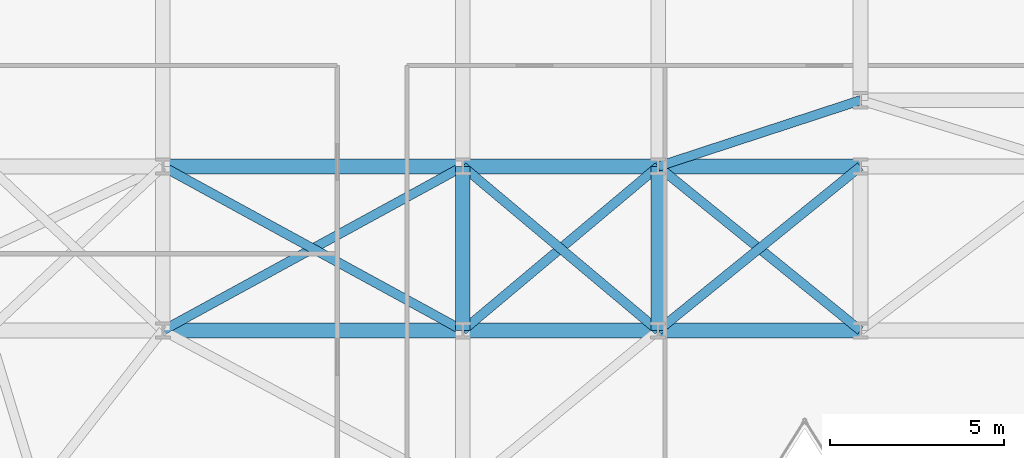
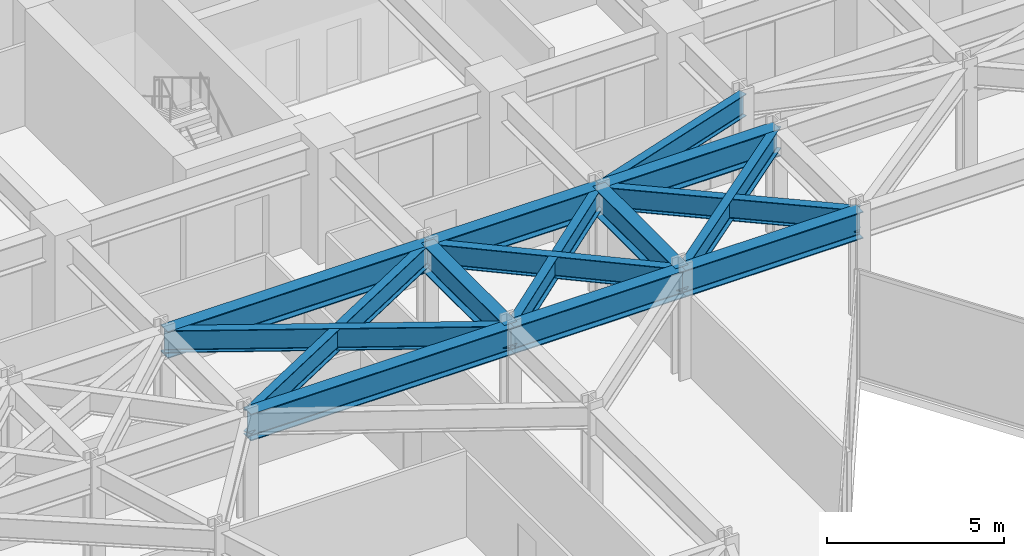
# One storey, part 11 of 24: 15 beams.
"""IFC4 building model written with IfcOpenShell, lengths in metres."""

from ifc_helpers import new_model, si_unit, direction, frame, origin, origin_2d, place, context, subcontext, project, spatial, i_section, extrude, material, material_profile, profile_set, type_object, element, save


model = new_model("IFC4")

# Units and contexts
model_context = context("Model", 3, precision=1e-05, world=origin(), true_north=direction((0.0, 1.0)))
body_context = subcontext(model_context, "Body", "Model", "MODEL_VIEW")
ifc_project = project(units=[si_unit("LENGTHUNIT", "METRE"), si_unit("AREAUNIT", "SQUARE_METRE"), si_unit("VOLUMEUNIT", "CUBIC_METRE"), si_unit("PLANEANGLEUNIT", "RADIAN"), si_unit("MASSUNIT", "GRAM", prefix="KILO")], contexts=[model_context])

# Site, building, storey
site_placement = place(None, origin())
site = spatial("IfcSite", under=ifc_project, at=site_placement, CompositionType="ELEMENT")
building_placement = place(site_placement, origin())
building = spatial("IfcBuilding", under=site, at=building_placement, Name="Kravanh Interchange Tower", CompositionType="ELEMENT")
storey_placement = place(building_placement, frame((0.0, 0.0, 61.5)))
storey = spatial("IfcBuildingStorey", under=building, at=storey_placement, Name="L14", CompositionType="ELEMENT", Elevation=61.5)

# Beams
ifc_material_1 = material(Name="Structural Steel S355", Category="steel")
ifc_material_profile_1 = material_profile(ifc_material_1, i_section(OverallWidth=0.41796875, OverallDepth=0.927001953125, WebThickness=0.019287109375, FlangeThickness=0.031982421875, FilletRadius=0.028076171875, at=origin_2d()), Name="W36X231")
ifc_profile_set_1 = profile_set([ifc_material_profile_1], Name="Structural Steel S355")
beam_type_1 = type_object("IfcBeamType", Name="Floor Beam W36X231 Structural Steel S355", PredefinedType="BEAM", material=ifc_profile_set_1)
beam_1_placement = place(storey_placement, frame((18.60009765625, 26.800048828125, 3.276611328125), z_axis=(1.0, 0.0, 0.0), x_axis=(0.0, 1.0, 0.0)))
element("IfcBeam", 1, at=beam_1_placement, inside=storey, type_object=beam_type_1, Name="L14 Primary Floor Girder 76", PredefinedType="BEAM", context=body_context, shape_type="SweptSolid", body=[
    extrude(i_section(OverallWidth=0.41796875, OverallDepth=0.927001953125, WebThickness=0.019287109375, FlangeThickness=0.031982421875, FilletRadius=0.028076171875, at=origin_2d()), origin(), (0.0, 0.0, 1.0), 8.599853515625),
])
beam_2_placement = place(storey_placement, frame((27.199951171875, 26.800048828125, 3.276611328125), z_axis=(0.0, 1.0, 0.0), x_axis=(-1.0, 0.0, 0.0)))
element("IfcBeam", 2, at=beam_2_placement, inside=storey, type_object=beam_type_1, Name="L14 Primary Floor Girder 78", PredefinedType="BEAM", context=body_context, shape_type="SweptSolid", body=[
    extrude(i_section(OverallWidth=0.41796875, OverallDepth=0.927001953125, WebThickness=0.019287109375, FlangeThickness=0.031982421875, FilletRadius=0.028076171875, at=origin_2d()), origin(), (0.0, 0.0, 1.0), 4.699951171875),
])
beam_3_placement = place(storey_placement, frame((27.199951171875, 26.800048828125, 3.276611328125), z_axis=(1.0, 0.0, 0.0), x_axis=(0.0, 1.0, 0.0)))
element("IfcBeam", 3, at=beam_3_placement, inside=storey, type_object=beam_type_1, Name="L14 Primary Floor Girder 79", PredefinedType="BEAM", context=body_context, shape_type="SweptSolid", body=[
    extrude(i_section(OverallWidth=0.41796875, OverallDepth=0.927001953125, WebThickness=0.019287109375, FlangeThickness=0.031982421875, FilletRadius=0.028076171875, at=origin_2d()), origin(), (0.0, 0.0, 1.0), 5.60009765625),
])
beam_4_placement = place(storey_placement, frame((32.800048828125, 26.800048828125, 3.276611328125), z_axis=(0.0, 1.0, 0.0), x_axis=(-1.0, 0.0, 0.0)))
element("IfcBeam", 4, at=beam_4_placement, inside=storey, type_object=beam_type_1, Name="L14 Primary Floor Girder 82", PredefinedType="BEAM", context=body_context, shape_type="SweptSolid", body=[
    extrude(i_section(OverallWidth=0.41796875, OverallDepth=0.927001953125, WebThickness=0.019287109375, FlangeThickness=0.031982421875, FilletRadius=0.028076171875, at=origin_2d()), origin(), (0.0, 0.0, 1.0), 4.699951171875),
])
beam_5_placement = place(storey_placement, frame((32.800048828125, 26.800048828125, 3.276611328125), z_axis=(1.0, 0.0, 0.0), x_axis=(0.0, 1.0, 0.0)))
element("IfcBeam", 5, at=beam_5_placement, inside=storey, type_object=beam_type_1, Name="L14 Primary Floor Girder 83", PredefinedType="BEAM", context=body_context, shape_type="SweptSolid", body=[
    extrude(i_section(OverallWidth=0.41796875, OverallDepth=0.927001953125, WebThickness=0.019287109375, FlangeThickness=0.031982421875, FilletRadius=0.028076171875, at=origin_2d()), origin(), (0.0, 0.0, 1.0), 5.800048828125),
])
beam_6_placement = place(storey_placement, frame((18.60009765625, 31.5, 3.276611328125), z_axis=(1.0, 0.0, 0.0), x_axis=(0.0, 1.0, 0.0)))
element("IfcBeam", 6, at=beam_6_placement, inside=storey, type_object=beam_type_1, Name="L14 Primary Floor Girder 106", PredefinedType="BEAM", context=body_context, shape_type="SweptSolid", body=[
    extrude(i_section(OverallWidth=0.41796875, OverallDepth=0.927001953125, WebThickness=0.019287109375, FlangeThickness=0.031982421875, FilletRadius=0.028076171875, at=origin_2d()), origin(), (0.0, 0.0, 1.0), 8.599853515625),
])
beam_7_placement = place(storey_placement, frame((27.199951171875, 31.5, 3.276611328125), z_axis=(1.0, 0.0, 0.0), x_axis=(0.0, 1.0, 0.0)))
element("IfcBeam", 7, at=beam_7_placement, inside=storey, type_object=beam_type_1, Name="L14 Primary Floor Girder 107", PredefinedType="BEAM", context=body_context, shape_type="SweptSolid", body=[
    extrude(i_section(OverallWidth=0.41796875, OverallDepth=0.927001953125, WebThickness=0.019287109375, FlangeThickness=0.031982421875, FilletRadius=0.028076171875, at=origin_2d()), origin(), (0.0, 0.0, 1.0), 5.60009765625),
])
beam_8_placement = place(storey_placement, frame((32.800048828125, 31.5, 3.276611328125), z_axis=(1.0, 0.0, 0.0), x_axis=(0.0, 1.0, 0.0)))
element("IfcBeam", 8, at=beam_8_placement, inside=storey, type_object=beam_type_1, Name="L14 Primary Floor Girder 109", PredefinedType="BEAM", context=body_context, shape_type="SweptSolid", body=[
    extrude(i_section(OverallWidth=0.41796875, OverallDepth=0.927001953125, WebThickness=0.019287109375, FlangeThickness=0.031982421875, FilletRadius=0.028076171875, at=origin_2d()), origin(), (0.0, 0.0, 1.0), 5.800048828125),
])
ifc_material_2 = material(Name="Structural Steel S355", Category="steel")
ifc_material_profile_2 = material_profile(ifc_material_2, i_section(OverallWidth=0.26708984375, OverallDepth=0.761962890625, WebThickness=0.014404296875, FlangeThickness=0.021484375, FilletRadius=0.02490234375, at=origin_2d()), Name="W30X116")
ifc_profile_set_2 = profile_set([ifc_material_profile_2], Name="Structural Steel S355")
beam_type_2 = type_object("IfcBeamType", Name="Floor Spandrel W30X116 Structural Steel S355", PredefinedType="SPANDREL", material=ifc_profile_set_2)
beam_9_placement = place(storey_placement, frame((18.60009765625, 26.800048828125, 3.35888671875), z_axis=(0.877503996342, 0.479569323877, 0.0), x_axis=(-0.479569323877, 0.877503996342, 0.0)))
element("IfcBeam", 9, at=beam_9_placement, inside=storey, type_object=beam_type_2, Name="L14 Perimeter Spandrel 77", PredefinedType="SPANDREL", context=body_context, shape_type="SweptSolid", body=[
    extrude(i_section(OverallWidth=0.26708984375, OverallDepth=0.761962890625, WebThickness=0.014404296875, FlangeThickness=0.021484375, FilletRadius=0.02490234375, at=origin_2d()), origin(), (0.0, 0.0, 1.0), 9.80029296875),
])
beam_10_placement = place(storey_placement, frame((27.199951171875, 26.800048828125, 3.35888671875), z_axis=(0.765983062929, 0.642860752657, 0.0), x_axis=(-0.642860752657, 0.765983062929, 0.0)))
element("IfcBeam", 10, at=beam_10_placement, inside=storey, type_object=beam_type_2, Name="L14 Perimeter Spandrel 80", PredefinedType="SPANDREL", context=body_context, shape_type="SweptSolid", body=[
    extrude(i_section(OverallWidth=0.26708984375, OverallDepth=0.761962890625, WebThickness=0.014404296875, FlangeThickness=0.021484375, FilletRadius=0.02490234375, at=origin_2d()), origin(), (0.0, 0.0, 1.0), 7.31103515625),
])
beam_11_placement = place(storey_placement, frame((27.199951171875, 26.800048828125, 3.35888671875), z_axis=(-0.877503996342, 0.479569323877, 0.0), x_axis=(-0.479569323877, -0.877503996342, 0.0)))
element("IfcBeam", 11, at=beam_11_placement, inside=storey, type_object=beam_type_2, Name="L14 Perimeter Spandrel 81", PredefinedType="SPANDREL", context=body_context, shape_type="SweptSolid", body=[
    extrude(i_section(OverallWidth=0.26708984375, OverallDepth=0.761962890625, WebThickness=0.014404296875, FlangeThickness=0.021484375, FilletRadius=0.02490234375, at=origin_2d()), origin(), (0.0, 0.0, 1.0), 9.80029296875),
])
beam_12_placement = place(storey_placement, frame((32.800048828125, 26.800048828125, 3.35888671875), z_axis=(-0.765983062929, 0.642860752657, 0.0), x_axis=(-0.642860752657, -0.765983062929, 0.0)))
element("IfcBeam", 12, at=beam_12_placement, inside=storey, type_object=beam_type_2, Name="L14 Perimeter Spandrel 84", PredefinedType="SPANDREL", context=body_context, shape_type="SweptSolid", body=[
    extrude(i_section(OverallWidth=0.26708984375, OverallDepth=0.761962890625, WebThickness=0.014404296875, FlangeThickness=0.021484375, FilletRadius=0.02490234375, at=origin_2d()), origin(), (0.0, 0.0, 1.0), 7.31103515625),
])
for number, where, z_axis, x_axis, name in (
    (13, (32.800048828125, 26.800048828125, 3.35888671875), (0.776938619557, 0.629576350764, 0.0), (-0.629576350764, 0.776938619557, 0.0), "L14 Perimeter Spandrel 85"),
    (14, (38.60009765625, 26.800048828125, 3.35888671875), (-0.776938619557, 0.629576350764, 0.0), (-0.629576350764, -0.776938619557, 0.0), "L14 Perimeter Spandrel 87"),
):
    element("IfcBeam", number, at=place(storey_placement, frame(where, z_axis=z_axis, x_axis=x_axis)), inside=storey, type_object=beam_type_2, Name=name, PredefinedType="SPANDREL", context=body_context, shape_type="SweptSolid", body=[
        extrude(i_section(OverallWidth=0.26708984375, OverallDepth=0.761962890625, WebThickness=0.014404296875, FlangeThickness=0.021484375, FilletRadius=0.02490234375, at=origin_2d()), origin(), (0.0, 0.0, 1.0), 7.46533203125),
    ])
beam_13_placement = place(storey_placement, frame((32.800048828125, 31.5, 3.35888671875), z_axis=(0.950314536578, 0.31129131303, 0.0), x_axis=(-0.31129131303, 0.950314536578, 0.0)))
element("IfcBeam", 15, at=beam_13_placement, inside=storey, type_object=beam_type_2, Name="L14 Perimeter Spandrel 110", PredefinedType="SPANDREL", context=body_context, shape_type="SweptSolid", body=[
    extrude(i_section(OverallWidth=0.26708984375, OverallDepth=0.761962890625, WebThickness=0.014404296875, FlangeThickness=0.021484375, FilletRadius=0.02490234375, at=origin_2d()), origin(), (0.0, 0.0, 1.0), 6.103271484375),
])

save(model, "model.ifc")
